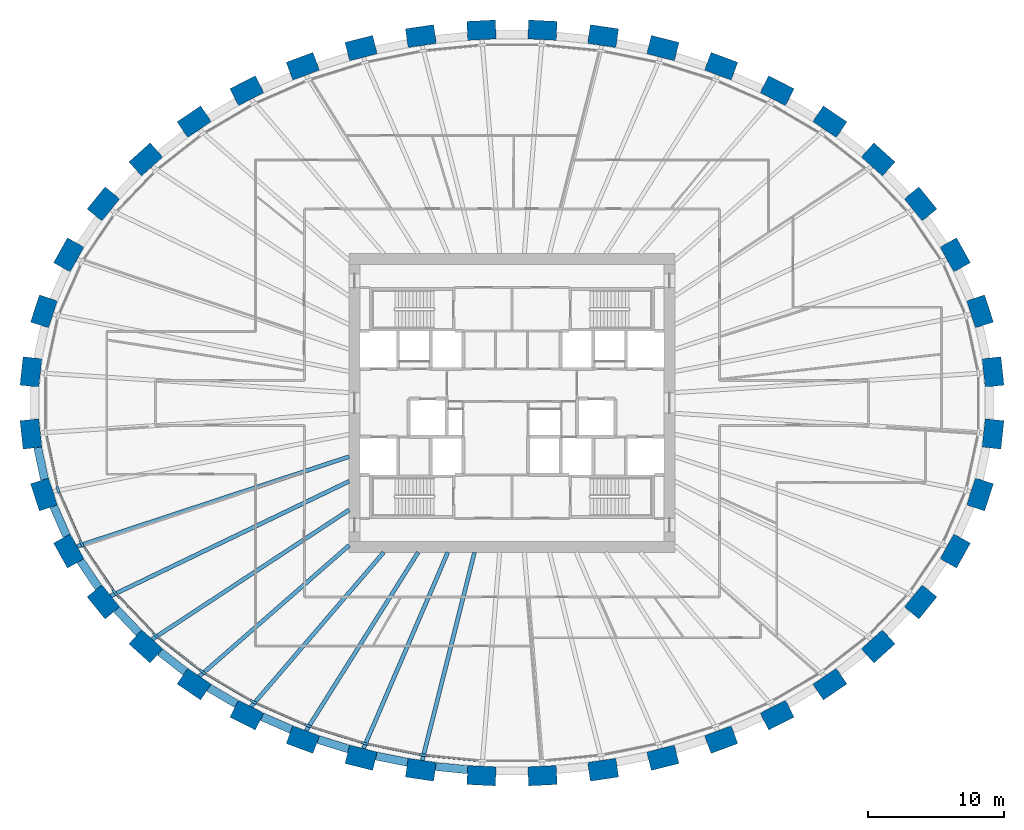
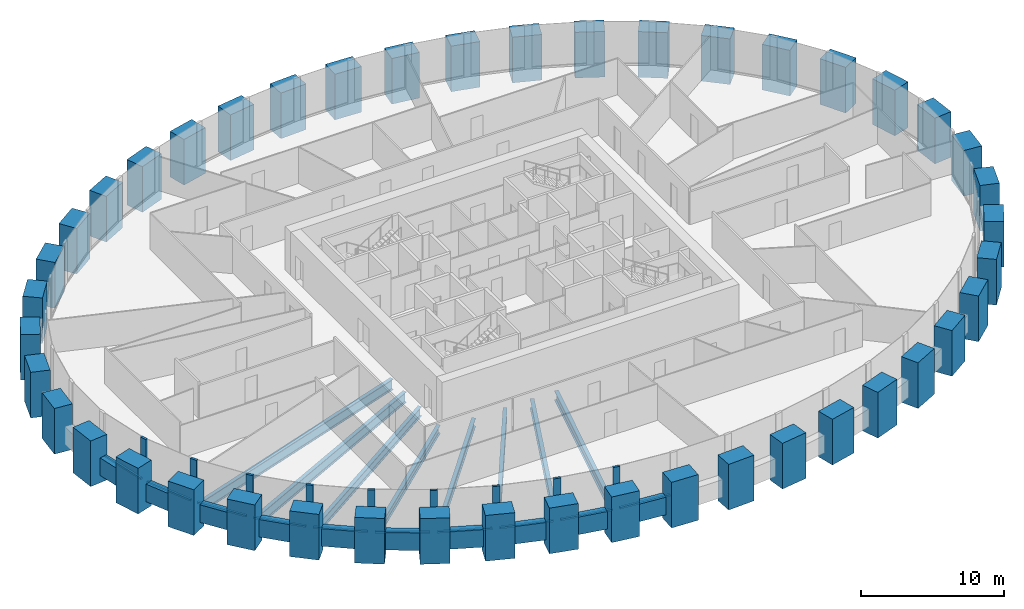
# One storey, part 1 of 11: 44 columns, 19 members, 18 beams, 1 element without a shape of its own.
"""IFC4 building model written with IfcOpenShell, lengths in metres."""

from ifc_helpers import new_model, si_unit, direction, frame, origin, origin_2d, place, context, subcontext, project, spatial, rectangle, i_section, extrude, source, transform, mapped, material, material_profile, profile_set, type_object, element, aggregate, save


model = new_model("IFC4")

# Units and contexts
model_context = context("Model", 3, precision=1e-05, world=origin(), true_north=direction((0.0, 1.0)))
body_context = subcontext(model_context, "Body", "Model", "MODEL_VIEW")
ifc_project = project(units=[si_unit("LENGTHUNIT", "METRE"), si_unit("AREAUNIT", "SQUARE_METRE"), si_unit("VOLUMEUNIT", "CUBIC_METRE"), si_unit("PLANEANGLEUNIT", "RADIAN"), si_unit("MASSUNIT", "GRAM", prefix="KILO")], contexts=[model_context])

# Site, building, storey
site_placement = place(None, origin())
site = spatial("IfcSite", under=ifc_project, at=site_placement, CompositionType="ELEMENT")
building_placement = place(site_placement, origin())
building = spatial("IfcBuilding", under=site, at=building_placement, Name="Embergate Tower", CompositionType="ELEMENT")
storey_placement = place(building_placement, frame((0.0, 0.0, 215.10009765625)))
storey = spatial("IfcBuildingStorey", under=building, at=storey_placement, Name="L49", CompositionType="ELEMENT", Elevation=215.10009765625)

# Columns
ifc_material_1 = material(Name="Concrete C60", Category="concrete")
ifc_material_profile_1 = material_profile(ifc_material_1, rectangle(XDim=1.39990234375, YDim=2.10009765625, at=origin_2d()), Name="RC 1400x2100")
ifc_profile_set_1 = profile_set([ifc_material_profile_1], Name="Concrete C60")
column_type = type_object("IfcColumnType", Name="Ring column RC 1400x2100 C60", PredefinedType="COLUMN", material=ifc_profile_set_1)
shared_shape_1 = source(origin(), body_context, "Body", "SweptSolid", [
    extrude(rectangle(XDim=1.39990234375, YDim=2.10009765625, at=origin_2d()), origin(), (0.0, 0.0, 1.0), 3.900146484375),
])
for number, where, z_axis, x_axis, name in (
    (1, (35.43701171875, 2.281982421875, -1.400146484375), (0.0, 0.0, 1.0), (0.99428589498, 0.106749983816, 0.0), "COL-L49-00"),
    (2, (34.47802734375, 6.739013671875, -1.400146484375), (0.0, 0.0, 1.0), (0.950754033697, 0.309946394413, 0.0), "COL-L49-01"),
    (3, (32.64990234375, 10.906982421875, -1.400146484375), (0.0, 0.0, 1.0), (0.873500465855, 0.486823311018, 0.0), "COL-L49-02"),
    (4, (30.097900390625, 14.659912109375, -1.400146484375), (0.0, 0.0, 1.0), (0.775925311702, 0.630824786022, 0.0), "COL-L49-03"),
    (5, (26.97509765625, 17.93603515625, -1.400146484375), (0.0, 0.0, 1.0), (0.669221393633, 0.743063070206, 0.0), "COL-L49-04"),
    (6, (23.4150390625, 20.714111328125, -1.400146484375), (0.0, 0.0, 1.0), (0.560393279442, 0.828226643109, 0.0), "COL-L49-05"),
    (7, (19.530029296875, 22.998046875, -1.400146484375), (0.0, 0.0, 1.0), (0.453010512651, 0.891505174089, 0.0), "COL-L49-06"),
    (8, (15.407958984375, 24.801025390625, -1.400146484375), (0.0, 0.0, 1.0), (0.348343015724, 0.93736713373, 0.0), "COL-L49-07"),
    (9, (11.115966796875, 26.137939453125, -1.400146484375), (0.0, 0.0, 1.0), (0.24650851817, 0.969140624713, 0.0), "COL-L49-08"),
    (10, (6.7119140625, 27.02099609375, -1.400146484375), (0.0, 0.0, 1.0), (0.146929011949, 0.989147039346, 0.0), "COL-L49-09"),
    (11, (2.243896484375, 27.4599609375, -1.400146484375), (0.0, 0.0, 1.0), (0.048814904854, 0.998807841912, 0.0), "COL-L49-10"),
    (12, (-2.243896484375, 27.4599609375, -1.400146484375), (0.0, 0.0, 1.0), (-0.048814904854, 0.998807841912, 0.0), "COL-L49-11"),
    (13, (-6.7119140625, 27.02099609375, -1.400146484375), (0.0, 0.0, 1.0), (-0.146929011949, 0.989147039346, 0.0), "COL-L49-12"),
    (14, (-11.115966796875, 26.137939453125, -1.400146484375), (0.0, 0.0, 1.0), (-0.24650851817, 0.969140624713, 0.0), "COL-L49-13"),
    (15, (-15.407958984375, 24.801025390625, -1.400146484375), (0.0, 0.0, 1.0), (-0.348343015724, 0.93736713373, 0.0), "COL-L49-14"),
    (16, (-19.530029296875, 22.998046875, -1.400146484375), (0.0, 0.0, 1.0), (-0.453010512651, 0.891505174089, 0.0), "COL-L49-15"),
    (17, (-23.4150390625, 20.714111328125, -1.400146484375), (0.0, 0.0, 1.0), (-0.560393279442, 0.828226643109, 0.0), "COL-L49-16"),
    (18, (-26.97509765625, 17.93603515625, -1.400146484375), (0.0, 0.0, 1.0), (-0.669221393633, 0.743063070206, 0.0), "COL-L49-17"),
    (19, (-30.097900390625, 14.659912109375, -1.400146484375), (0.0, 0.0, 1.0), (-0.775925311702, 0.630824786022, 0.0), "COL-L49-18"),
    (20, (-32.64990234375, 10.906982421875, -1.400146484375), (0.0, 0.0, 1.0), (-0.873500465855, 0.486823311018, 0.0), "COL-L49-19"),
    (21, (-34.47802734375, 6.739013671875, -1.400146484375), (0.0, 0.0, 1.0), (-0.950754033697, 0.309946394413, 0.0), "COL-L49-20"),
    (22, (-35.43701171875, 2.281982421875, -1.400146484375), (0.0, 0.0, 1.0), (-0.99428589498, 0.106749983816, 0.0), "COL-L49-21"),
    (23, (-35.43701171875, -2.281982421875, -1.400146484375), (0.0, 0.0, 1.0), (-0.99428589498, -0.106749983816, 0.0), "COL-L49-22"),
    (24, (-34.47802734375, -6.739013671875, -1.400146484375), (0.0, 0.0, 1.0), (-0.950754033697, -0.309946394413, 0.0), "COL-L49-23"),
    (25, (-32.64990234375, -10.906982421875, -1.400146484375), (0.0, 0.0, 1.0), (-0.873500465855, -0.486823311018, 0.0), "COL-L49-24"),
    (26, (-30.097900390625, -14.659912109375, -1.400146484375), (0.0, 0.0, 1.0), (-0.775925311702, -0.630824786022, 0.0), "COL-L49-25"),
    (27, (-26.97509765625, -17.93603515625, -1.400146484375), (0.0, 0.0, 1.0), (-0.669221393633, -0.743063070206, 0.0), "COL-L49-26"),
    (28, (-23.4150390625, -20.714111328125, -1.400146484375), (0.0, 0.0, 1.0), (-0.560393279442, -0.828226643109, 0.0), "COL-L49-27"),
    (29, (-19.530029296875, -22.998046875, -1.400146484375), (0.0, 0.0, 1.0), (-0.453010512651, -0.891505174089, 0.0), "COL-L49-28"),
    (30, (-15.407958984375, -24.801025390625, -1.400146484375), (0.0, 0.0, 1.0), (-0.348343015724, -0.93736713373, 0.0), "COL-L49-29"),
    (31, (-11.115966796875, -26.137939453125, -1.400146484375), (0.0, 0.0, 1.0), (-0.24650851817, -0.969140624713, 0.0), "COL-L49-30"),
    (32, (-6.7119140625, -27.02099609375, -1.400146484375), (0.0, 0.0, 1.0), (-0.146929011949, -0.989147039346, 0.0), "COL-L49-31"),
    (33, (-2.243896484375, -27.4599609375, -1.400146484375), (0.0, 0.0, 1.0), (-0.048814904854, -0.998807841912, 0.0), "COL-L49-32"),
    (34, (2.243896484375, -27.4599609375, -1.400146484375), (0.0, 0.0, 1.0), (0.048814904854, -0.998807841912, 0.0), "COL-L49-33"),
    (35, (6.7119140625, -27.02099609375, -1.400146484375), (0.0, 0.0, 1.0), (0.146929011949, -0.989147039346, 0.0), "COL-L49-34"),
    (36, (11.115966796875, -26.137939453125, -1.400146484375), (0.0, 0.0, 1.0), (0.24650851817, -0.969140624713, 0.0), "COL-L49-35"),
    (37, (15.407958984375, -24.801025390625, -1.400146484375), (0.0, 0.0, 1.0), (0.348343015724, -0.93736713373, 0.0), "COL-L49-36"),
    (38, (19.530029296875, -22.998046875, -1.400146484375), (0.0, 0.0, 1.0), (0.453010512651, -0.891505174089, 0.0), "COL-L49-37"),
    (39, (23.4150390625, -20.714111328125, -1.400146484375), (0.0, 0.0, 1.0), (0.560393279442, -0.828226643109, 0.0), "COL-L49-38"),
    (40, (26.97509765625, -17.93603515625, -1.400146484375), (0.0, 0.0, 1.0), (0.669221393633, -0.743063070206, 0.0), "COL-L49-39"),
    (41, (30.097900390625, -14.659912109375, -1.400146484375), (0.0, 0.0, 1.0), (0.775925311702, -0.630824786022, 0.0), "COL-L49-40"),
    (42, (32.64990234375, -10.906982421875, -1.400146484375), (0.0, 0.0, 1.0), (0.873500465855, -0.486823311018, 0.0), "COL-L49-41"),
    (43, (34.47802734375, -6.739013671875, -1.400146484375), (0.0, 0.0, 1.0), (0.950754033697, -0.309946394413, 0.0), "COL-L49-42"),
    (44, (35.43701171875, -2.281982421875, -1.400146484375), (0.0, 0.0, 1.0), (0.99428589498, -0.106749983816, 0.0), "COL-L49-43"),
):
    element("IfcColumn", number, at=place(storey_placement, frame(where, z_axis=z_axis, x_axis=x_axis)), inside=storey, type_object=column_type, Name=name, PredefinedType="COLUMN", context=body_context, shape_type="MappedRepresentation", body=[
        mapped(shared_shape_1, transform((0.0, 0.0, 0.0))),
    ])

# Beams
ifc_material_profile_2 = material_profile(ifc_material_1, rectangle(XDim=0.60009765625, YDim=1.5, at=origin_2d()), Name="RC 600x1500")
ifc_profile_set_2 = profile_set([ifc_material_profile_2], Name="Concrete C60")
beam_type_1 = type_object("IfcBeamType", Name="Spandrel beam RC 600x1500 C60", PredefinedType="BEAM", material=ifc_profile_set_2)
shared_shape_2 = source(origin(), body_context, "Body", "SweptSolid", [
    extrude(rectangle(XDim=0.60009765625, YDim=1.5, at=origin_2d()), origin(), (0.0, 0.0, 1.0), 2.3896484375),
])
beam_1_placement = place(storey_placement, frame((-34.93896484375, -3.284912109375, 0.0), z_axis=(0.21045693854, -0.977603128586, 0.0), x_axis=(0.977603128586, 0.21045693854, 0.0)))
element("IfcBeam", 45, at=beam_1_placement, inside=storey, type_object=beam_type_1, Name="SPN-L49-22", PredefinedType="BEAM", context=body_context, shape_type="MappedRepresentation", body=[
    mapped(shared_shape_2, transform((0.0, 0.0, 0.0))),
])
shared_shape_3 = source(origin(), body_context, "Body", "SweptSolid", [
    extrude(rectangle(XDim=0.60009765625, YDim=1.5, at=origin_2d()), origin(), (0.0, 0.0, 1.0), 2.3837890625),
])
beam_2_placement = place(storey_placement, frame((-33.77099609375, -7.613037109375, 0.0), z_axis=(0.401876968148, -0.915693672836, 0.0), x_axis=(0.915693672836, 0.401876968148, 0.0)))
element("IfcBeam", 46, at=beam_2_placement, inside=storey, type_object=beam_type_1, Name="SPN-L49-23", PredefinedType="BEAM", context=body_context, shape_type="MappedRepresentation", body=[
    mapped(shared_shape_3, transform((0.0, 0.0, 0.0))),
])
shared_shape_4 = source(origin(), body_context, "Body", "SweptSolid", [
    extrude(rectangle(XDim=0.60009765625, YDim=1.5, at=origin_2d()), origin(), (0.0, 0.0, 1.0), 2.379150390625),
])
beam_3_placement = place(storey_placement, frame((-31.797119140625, -11.633056640625, 0.0), z_axis=(0.562467199194, -0.826819599327, 0.0), x_axis=(0.826819599327, 0.562467199194, 0.0)))
element("IfcBeam", 47, at=beam_3_placement, inside=storey, type_object=beam_type_1, Name="SPN-L49-24", PredefinedType="BEAM", context=body_context, shape_type="MappedRepresentation", body=[
    mapped(shared_shape_4, transform((0.0, 0.0, 0.0))),
])
shared_shape_5 = source(origin(), body_context, "Body", "SweptSolid", [
    extrude(rectangle(XDim=0.60009765625, YDim=1.5, at=origin_2d()), origin(), (0.0, 0.0, 1.0), 2.370849609375),
])
beam_4_placement = place(storey_placement, frame((-29.1240234375, -15.220947265625, 0.0), z_axis=(0.690017631866, -0.723792558482, 0.0), x_axis=(0.723792558482, 0.690017631866, 0.0)))
element("IfcBeam", 48, at=beam_4_placement, inside=storey, type_object=beam_type_1, Name="SPN-L49-25", PredefinedType="BEAM", context=body_context, shape_type="MappedRepresentation", body=[
    mapped(shared_shape_5, transform((0.0, 0.0, 0.0))),
])
shared_shape_6 = source(origin(), body_context, "Body", "SweptSolid", [
    extrude(rectangle(XDim=0.60009765625, YDim=1.5, at=origin_2d()), origin(), (0.0, 0.0, 1.0), 2.366943359375),
])
beam_5_placement = place(storey_placement, frame((-25.931884765625, -18.345947265625, 0.0), z_axis=(0.788379233054, -0.615189552, 0.0), x_axis=(0.615189552, 0.788379233054, 0.0)))
element("IfcBeam", 49, at=beam_5_placement, inside=storey, type_object=beam_type_1, Name="SPN-L49-26", PredefinedType="BEAM", context=body_context, shape_type="MappedRepresentation", body=[
    mapped(shared_shape_6, transform((0.0, 0.0, 0.0))),
])
shared_shape_7 = source(origin(), body_context, "Body", "SweptSolid", [
    extrude(rectangle(XDim=0.60009765625, YDim=1.5, at=origin_2d()), origin(), (0.0, 0.0, 1.0), 2.36279296875),
])
beam_6_placement = place(storey_placement, frame((-22.3291015625, -20.98291015625, 0.0), z_axis=(0.862170527893, -0.50661818052, 0.0), x_axis=(0.50661818052, 0.862170527893, 0.0)))
element("IfcBeam", 50, at=beam_6_placement, inside=storey, type_object=beam_type_1, Name="SPN-L49-27", PredefinedType="BEAM", context=body_context, shape_type="MappedRepresentation", body=[
    mapped(shared_shape_7, transform((0.0, 0.0, 0.0))),
])
shared_shape_8 = source(origin(), body_context, "Body", "SweptSolid", [
    extrude(rectangle(XDim=0.60009765625, YDim=1.5, at=origin_2d()), origin(), (0.0, 0.0, 1.0), 2.357421875),
])
beam_7_placement = place(storey_placement, frame((-18.4130859375, -23.116943359375, 0.0), z_axis=(0.91630938503, -0.400471111201, 0.0), x_axis=(0.400471111201, 0.91630938503, 0.0)))
element("IfcBeam", 51, at=beam_7_placement, inside=storey, type_object=beam_type_1, Name="SPN-L49-28", PredefinedType="BEAM", context=body_context, shape_type="MappedRepresentation", body=[
    mapped(shared_shape_8, transform((0.0, 0.0, 0.0))),
])
shared_shape_9 = source(origin(), body_context, "Body", "SweptSolid", [
    extrude(rectangle(XDim=0.60009765625, YDim=1.5, at=origin_2d()), origin(), (0.0, 0.0, 1.0), 2.3564453125),
])
beam_8_placement = place(storey_placement, frame((-14.285888671875, -24.7958984375, 0.0), z_axis=(0.95483326256, -0.297142122073, 0.0), x_axis=(0.297142122073, 0.95483326256, 0.0)))
element("IfcBeam", 52, at=beam_8_placement, inside=storey, type_object=beam_type_1, Name="SPN-L49-29", PredefinedType="BEAM", context=body_context, shape_type="MappedRepresentation", body=[
    mapped(shared_shape_9, transform((0.0, 0.0, 0.0))),
])
shared_shape_10 = source(origin(), body_context, "Body", "SweptSolid", [
    extrude(rectangle(XDim=0.60009765625, YDim=1.5, at=origin_2d()), origin(), (0.0, 0.0, 1.0), 2.353515625),
])
beam_9_placement = place(storey_placement, frame((-10.0009765625, -26.01611328125, 0.0), z_axis=(0.980552738639, -0.196255768698, 0.0), x_axis=(0.196255768698, 0.980552738639, 0.0)))
element("IfcBeam", 53, at=beam_9_placement, inside=storey, type_object=beam_type_1, Name="SPN-L49-30", PredefinedType="BEAM", context=body_context, shape_type="MappedRepresentation", body=[
    mapped(shared_shape_10, transform((0.0, 0.0, 0.0))),
])
shared_shape_11 = source(origin(), body_context, "Body", "SweptSolid", [
    extrude(rectangle(XDim=0.60009765625, YDim=1.5, at=origin_2d()), origin(), (0.0, 0.0, 1.0), 2.353271484375),
])
beam_10_placement = place(storey_placement, frame((-5.615966796875, -26.7880859375, 0.0), z_axis=(0.99521330308, -0.097726564318, 0.0), x_axis=(0.097726564318, 0.99521330308, 0.0)))
element("IfcBeam", 54, at=beam_10_placement, inside=storey, type_object=beam_type_1, Name="SPN-L49-31", PredefinedType="BEAM", context=body_context, shape_type="MappedRepresentation", body=[
    mapped(shared_shape_11, transform((0.0, 0.0, 0.0))),
])
ifc_material_2 = material(Name="Steel Q355B", Category="steel")
ifc_material_profile_3 = material_profile(ifc_material_2, i_section(OverallWidth=0.300048828125, OverallDepth=0.89990234375, WebThickness=0.01611328125, FlangeThickness=0.028076171875, FilletRadius=0.028076171875, at=origin_2d()), Name="HN 900x300x16x28")
ifc_profile_set_3 = profile_set([ifc_material_profile_3], Name="Steel Q355 grade B")
beam_type_2 = type_object("IfcBeamType", Name="Radial girder HN 900x300x16x28", PredefinedType="BEAM", material=ifc_profile_set_3)
shared_shape_12 = source(origin(), body_context, "Body", "SweptSolid", [
    extrude(i_section(OverallWidth=0.300048828125, OverallDepth=0.89990234375, WebThickness=0.01611328125, FlangeThickness=0.028076171875, FilletRadius=0.028076171875, at=origin_2d()), origin(), (0.0, 0.0, 1.0), 21.100341796875),
])
beam_11_placement = place(storey_placement, frame((-32.0390625, -10.56591796875, -0.650146484375), z_axis=(0.949698867802, 0.313164590106, 0.0), x_axis=(-0.313164590106, 0.949698867802, 0.0)))
element("IfcBeam", 55, at=beam_11_placement, inside=storey, type_object=beam_type_2, Name="GIR-L49-24", PredefinedType="BEAM", context=body_context, shape_type="MappedRepresentation", body=[
    mapped(shared_shape_12, transform((0.0, 0.0, 0.0))),
])
shared_shape_13 = source(origin(), body_context, "Body", "SweptSolid", [
    extrude(i_section(OverallWidth=0.300048828125, OverallDepth=0.89990234375, WebThickness=0.01611328125, FlangeThickness=0.028076171875, FilletRadius=0.028076171875, at=origin_2d()), origin(), (0.0, 0.0, 1.0), 19.480712890625),
])
beam_12_placement = place(storey_placement, frame((-29.554931640625, -14.218017578125, -0.650146484375), z_axis=(0.901148212086, 0.433511130023, 0.0), x_axis=(-0.433511130023, 0.901148212086, 0.0)))
element("IfcBeam", 56, at=beam_12_placement, inside=storey, type_object=beam_type_2, Name="GIR-L49-25", PredefinedType="BEAM", context=body_context, shape_type="MappedRepresentation", body=[
    mapped(shared_shape_13, transform((0.0, 0.0, 0.0))),
])
ifc_material_profile_4 = material_profile(ifc_material_2, i_section(OverallWidth=0.300048828125, OverallDepth=0.800048828125, WebThickness=0.013916015625, FlangeThickness=0.02587890625, FilletRadius=0.028076171875, at=origin_2d()), Name="HN 800x300x14x26")
ifc_profile_set_4 = profile_set([ifc_material_profile_4], Name="Steel Q355 grade B")
beam_type_3 = type_object("IfcBeamType", Name="Radial girder HN 800x300x14x26", PredefinedType="BEAM", material=ifc_profile_set_4)
shared_shape_14 = source(origin(), body_context, "Body", "SweptSolid", [
    extrude(i_section(OverallWidth=0.300048828125, OverallDepth=0.800048828125, WebThickness=0.013916015625, FlangeThickness=0.02587890625, FilletRadius=0.028076171875, at=origin_2d()), origin(), (0.0, 0.0, 1.0), 17.3583984375),
])
beam_13_placement = place(storey_placement, frame((-26.507080078125, -17.416015625, -0.60009765625), z_axis=(0.835738306524, 0.549127929547, 0.0), x_axis=(-0.549127929547, 0.835738306524, 0.0)))
element("IfcBeam", 57, at=beam_13_placement, inside=storey, type_object=beam_type_3, Name="GIR-L49-26", PredefinedType="BEAM", context=body_context, shape_type="MappedRepresentation", body=[
    mapped(shared_shape_14, transform((0.0, 0.0, 0.0))),
])
ifc_material_profile_5 = material_profile(ifc_material_2, i_section(OverallWidth=0.300048828125, OverallDepth=0.699951171875, WebThickness=0.012939453125, FlangeThickness=0.02392578125, FilletRadius=0.01806640625, at=origin_2d()), Name="HN 700x300x13x24")
ifc_profile_set_5 = profile_set([ifc_material_profile_5], Name="Steel Q355 grade B")
beam_type_4 = type_object("IfcBeamType", Name="Radial girder HN 700x300x13x24", PredefinedType="BEAM", material=ifc_profile_set_5)
shared_shape_15 = source(origin(), body_context, "Body", "SweptSolid", [
    extrude(i_section(OverallWidth=0.300048828125, OverallDepth=0.699951171875, WebThickness=0.012939453125, FlangeThickness=0.02392578125, FilletRadius=0.01806640625, at=origin_2d()), origin(), (0.0, 0.0, 1.0), 14.643798828125),
])
beam_14_placement = place(storey_placement, frame((-23.02294921875, -20.134033203125, -0.550048828125), z_axis=(0.752743981282, 0.658313374195, 0.0), x_axis=(-0.658313374195, 0.752743981282, 0.0)))
element("IfcBeam", 58, at=beam_14_placement, inside=storey, type_object=beam_type_4, Name="GIR-L49-27", PredefinedType="BEAM", context=body_context, shape_type="MappedRepresentation", body=[
    mapped(shared_shape_15, transform((0.0, 0.0, 0.0))),
])
shared_shape_16 = source(origin(), body_context, "Body", "SweptSolid", [
    extrude(i_section(OverallWidth=0.300048828125, OverallDepth=0.699951171875, WebThickness=0.012939453125, FlangeThickness=0.02392578125, FilletRadius=0.01806640625, at=origin_2d()), origin(), (0.0, 0.0, 1.0), 14.991943359375),
])
beam_15_placement = place(storey_placement, frame((-19.212890625, -22.3740234375, -0.550048828125), z_axis=(0.651471048315, 0.758673495785, 0.0), x_axis=(-0.758673495785, 0.651471048315, 0.0)))
element("IfcBeam", 59, at=beam_15_placement, inside=storey, type_object=beam_type_4, Name="GIR-L49-28", PredefinedType="BEAM", context=body_context, shape_type="MappedRepresentation", body=[
    mapped(shared_shape_16, transform((0.0, 0.0, 0.0))),
])
shared_shape_17 = source(origin(), body_context, "Body", "SweptSolid", [
    extrude(i_section(OverallWidth=0.300048828125, OverallDepth=0.800048828125, WebThickness=0.013916015625, FlangeThickness=0.02587890625, FilletRadius=0.028076171875, at=origin_2d()), origin(), (0.0, 0.0, 1.0), 15.522216796875),
])
beam_16_placement = place(storey_placement, frame((-15.1640625, -24.14501953125, -0.60009765625), z_axis=(0.531827158809, 0.846852922976, 0.0), x_axis=(-0.846852922976, 0.531827158809, 0.0)))
element("IfcBeam", 60, at=beam_16_placement, inside=storey, type_object=beam_type_3, Name="GIR-L49-29", PredefinedType="BEAM", context=body_context, shape_type="MappedRepresentation", body=[
    mapped(shared_shape_17, transform((0.0, 0.0, 0.0))),
])
shared_shape_18 = source(origin(), body_context, "Body", "SweptSolid", [
    extrude(i_section(OverallWidth=0.300048828125, OverallDepth=0.800048828125, WebThickness=0.013916015625, FlangeThickness=0.02587890625, FilletRadius=0.028076171875, at=origin_2d()), origin(), (0.0, 0.0, 1.0), 15.739013671875),
])
beam_17_placement = place(storey_placement, frame((-10.943115234375, -25.4599609375, -0.60009765625), z_axis=(0.394883218824, 0.918731322799, 0.0), x_axis=(-0.918731322799, 0.394883218824, 0.0)))
element("IfcBeam", 61, at=beam_17_placement, inside=storey, type_object=beam_type_3, Name="GIR-L49-30", PredefinedType="BEAM", context=body_context, shape_type="MappedRepresentation", body=[
    mapped(shared_shape_18, transform((0.0, 0.0, 0.0))),
])
shared_shape_19 = source(origin(), body_context, "Body", "SweptSolid", [
    extrude(i_section(OverallWidth=0.300048828125, OverallDepth=0.800048828125, WebThickness=0.013916015625, FlangeThickness=0.02587890625, FilletRadius=0.028076171875, at=origin_2d()), origin(), (0.0, 0.0, 1.0), 15.8046875),
])
beam_18_placement = place(storey_placement, frame((-6.60888671875, -26.3291015625, -0.60009765625), z_axis=(0.243465990326, 0.969909434718, 0.0), x_axis=(-0.969909434718, 0.243465990326, 0.0)))
element("IfcBeam", 62, at=beam_18_placement, inside=storey, type_object=beam_type_3, Name="GIR-L49-31", PredefinedType="BEAM", context=body_context, shape_type="MappedRepresentation", body=[
    mapped(shared_shape_19, transform((0.0, 0.0, 0.0))),
])

# Curtain wall, members
ifc_material_3 = material(Name="Aluminium and glass", Category="aluminium")
curtain_wall_type = type_object("IfcCurtainWallType", Name="Recessed office glazing", PredefinedType="NOTDEFINED", material=ifc_material_3)
curtain_wall_placement = place(storey_placement, origin())
curtain_wall = element("IfcCurtainWall", 63, at=curtain_wall_placement, inside=storey, type_object=curtain_wall_type, Name="Recessed office glazing ring", ObjectType="RECESSED OFFICE GLAZING", PredefinedType="USERDEFINED")
ifc_material_4 = material(Name="Aluminium, thermally broken", Category="aluminium")
ifc_material_profile_6 = material_profile(ifc_material_4, rectangle(XDim=0.179931640625, YDim=0.52001953125, at=origin_2d()), Name="AL 520x180")
ifc_profile_set_6 = profile_set([ifc_material_profile_6], Name="Aluminium, thermally broken")
member_type_1 = type_object("IfcMemberType", Name="Office mullion", PredefinedType="MULLION", material=ifc_profile_set_6)
shared_shape_20 = source(origin(), body_context, "Body", "SweptSolid", [
    extrude(rectangle(XDim=0.179931640625, YDim=0.52001953125, at=origin_2d()), origin(), (0.0, 0.0, 1.0), 3.699951171875),
])
member_1_placement = place(storey_placement, frame((-33.44140625, -6.401611328125, 0.0), z_axis=(0.0, 0.0, 1.0), x_axis=(0.951497797992, 0.307655554826, 0.0)))
member_1 = element("IfcMember", 64, at=member_1_placement, type_object=member_type_1, Name="CW mullion 24", PredefinedType="MULLION", context=body_context, shape_type="MappedRepresentation", body=[
    mapped(shared_shape_20, transform((0.0, 0.0, 0.0))),
])
member_2_placement = place(storey_placement, frame((-31.697998046875, -10.376220703125, 0.0), z_axis=(0.0, 0.0, 1.0), x_axis=(0.875002740779, 0.484117964581, 0.0)))
member_2 = element("IfcMember", 65, at=member_2_placement, type_object=member_type_1, Name="CW mullion 25", PredefinedType="MULLION", context=body_context, shape_type="MappedRepresentation", body=[
    mapped(shared_shape_20, transform((0.0, 0.0, 0.0))),
])
member_3_placement = place(storey_placement, frame((-29.25244140625, -13.972412109375, 0.0), z_axis=(0.0, 0.0, 1.0), x_axis=(0.777874757957, 0.628419335264, 0.0)))
member_3 = element("IfcMember", 66, at=member_3_placement, type_object=member_type_1, Name="CW mullion 26", PredefinedType="MULLION", context=body_context, shape_type="MappedRepresentation", body=[
    mapped(shared_shape_20, transform((0.0, 0.0, 0.0))),
])
member_4_placement = place(storey_placement, frame((-26.245361328125, -17.125732421875, 0.0), z_axis=(0.0, 0.0, 1.0), x_axis=(0.671230415135, 0.741248763775, 0.0)))
member_4 = element("IfcMember", 67, at=member_4_placement, type_object=member_type_1, Name="CW mullion 27", PredefinedType="MULLION", context=body_context, shape_type="MappedRepresentation", body=[
    mapped(shared_shape_20, transform((0.0, 0.0, 0.0))),
])
member_5_placement = place(storey_placement, frame((-22.804443359375, -19.811279296875, 0.0), z_axis=(0.0, 0.0, 1.0), x_axis=(0.562220505278, 0.826987365953, 0.0)))
member_5 = element("IfcMember", 68, at=member_5_placement, type_object=member_type_1, Name="CW mullion 28", PredefinedType="MULLION", context=body_context, shape_type="MappedRepresentation", body=[
    mapped(shared_shape_20, transform((0.0, 0.0, 0.0))),
])
member_6_placement = place(storey_placement, frame((-19.03662109375, -22.026611328125, 0.0), z_axis=(0.0, 0.0, 1.0), x_axis=(0.454514489796, 0.890739343784, 0.0)))
member_6 = element("IfcMember", 69, at=member_6_placement, type_object=member_type_1, Name="CW mullion 29", PredefinedType="MULLION", context=body_context, shape_type="MappedRepresentation", body=[
    mapped(shared_shape_20, transform((0.0, 0.0, 0.0))),
])
member_7_placement = place(storey_placement, frame((-15.02783203125, -23.779296875, 0.0), z_axis=(0.0, 0.0, 1.0), x_axis=(0.34950595337, 0.936934143128, 0.0)))
member_7 = element("IfcMember", 70, at=member_7_placement, type_object=member_type_1, Name="CW mullion 30", PredefinedType="MULLION", context=body_context, shape_type="MappedRepresentation", body=[
    mapped(shared_shape_20, transform((0.0, 0.0, 0.0))),
])
member_8_placement = place(storey_placement, frame((-10.847412109375, -25.081298828125, 0.0), z_axis=(0.0, 0.0, 1.0), x_axis=(0.247315263593, 0.968935065107, 0.0)))
member_8 = element("IfcMember", 71, at=member_8_placement, type_object=member_type_1, Name="CW mullion 31", PredefinedType="MULLION", context=body_context, shape_type="MappedRepresentation", body=[
    mapped(shared_shape_20, transform((0.0, 0.0, 0.0))),
])
member_9_placement = place(storey_placement, frame((-6.55224609375, -25.94287109375, 0.0), z_axis=(0.0, 0.0, 1.0), x_axis=(0.14741410908, 0.98907486089, 0.0)))
member_9 = element("IfcMember", 72, at=member_9_placement, type_object=member_type_1, Name="CW mullion 32", PredefinedType="MULLION", context=body_context, shape_type="MappedRepresentation", body=[
    mapped(shared_shape_20, transform((0.0, 0.0, 0.0))),
])
ifc_material_profile_7 = material_profile(ifc_material_4, rectangle(XDim=0.179931640625, YDim=0.14990234375, at=origin_2d()), Name="AL 150x180")
ifc_profile_set_7 = profile_set([ifc_material_profile_7], Name="Aluminium, thermally broken")
member_type_2 = type_object("IfcMemberType", Name="Office sill transom", PredefinedType="USERDEFINED", material=ifc_profile_set_7)
shared_shape_21 = source(origin(), body_context, "Body", "SweptSolid", [
    extrude(rectangle(XDim=0.179931640625, YDim=0.14990234375, at=origin_2d()), origin(), (0.0, 0.0, 1.0), 3.8134765625),
])
member_10_placement = place(storey_placement, frame((-34.29833984375, -2.41943359375, 0.074951171875), z_axis=(0.210377227089, -0.977620285347, 0.0), x_axis=(0.977620285347, 0.210377227089, 0.0)))
member_10 = element("IfcMember", 73, at=member_10_placement, type_object=member_type_2, Name="CW transom 23.1", ObjectType="TRANSOM", PredefinedType="USERDEFINED", context=body_context, shape_type="MappedRepresentation", body=[
    mapped(shared_shape_21, transform((0.0, 0.0, 0.0))),
])
shared_shape_22 = source(origin(), body_context, "Body", "SweptSolid", [
    extrude(rectangle(XDim=0.179931640625, YDim=0.14990234375, at=origin_2d()), origin(), (0.0, 0.0, 1.0), 3.8203125),
])
member_11_placement = place(storey_placement, frame((-33.3369140625, -6.6396484375, 0.074951171875), z_axis=(0.401656793595, -0.915790270837, 0.0), x_axis=(0.915790270837, 0.401656793595, 0.0)))
member_11 = element("IfcMember", 74, at=member_11_placement, type_object=member_type_2, Name="CW transom 24.1", ObjectType="TRANSOM", PredefinedType="USERDEFINED", context=body_context, shape_type="MappedRepresentation", body=[
    mapped(shared_shape_22, transform((0.0, 0.0, 0.0))),
])
shared_shape_23 = source(origin(), body_context, "Body", "SweptSolid", [
    extrude(rectangle(XDim=0.179931640625, YDim=0.14990234375, at=origin_2d()), origin(), (0.0, 0.0, 1.0), 3.828857421875),
])
member_12_placement = place(storey_placement, frame((-31.552001953125, -10.59130859375, 0.074951171875), z_axis=(0.56238675743, -0.826874316367, 0.0), x_axis=(0.826874316367, 0.56238675743, 0.0)))
member_12 = element("IfcMember", 75, at=member_12_placement, type_object=member_type_2, Name="CW transom 25.1", ObjectType="TRANSOM", PredefinedType="USERDEFINED", context=body_context, shape_type="MappedRepresentation", body=[
    mapped(shared_shape_23, transform((0.0, 0.0, 0.0))),
])
shared_shape_24 = source(origin(), body_context, "Body", "SweptSolid", [
    extrude(rectangle(XDim=0.179931640625, YDim=0.14990234375, at=origin_2d()), origin(), (0.0, 0.0, 1.0), 3.83740234375),
])
member_13_placement = place(storey_placement, frame((-29.072998046875, -14.160400390625, 0.074951171875), z_axis=(0.690110982846, -0.723703552123, 0.0), x_axis=(0.723703552123, 0.690110982846, 0.0)))
member_13 = element("IfcMember", 76, at=member_13_placement, type_object=member_type_2, Name="CW transom 26.1", ObjectType="TRANSOM", PredefinedType="USERDEFINED", context=body_context, shape_type="MappedRepresentation", body=[
    mapped(shared_shape_24, transform((0.0, 0.0, 0.0))),
])
shared_shape_25 = source(origin(), body_context, "Body", "SweptSolid", [
    extrude(rectangle(XDim=0.179931640625, YDim=0.14990234375, at=origin_2d()), origin(), (0.0, 0.0, 1.0), 3.8447265625),
])
member_14_placement = place(storey_placement, frame((-26.040283203125, -17.28564453125, 0.074951171875), z_axis=(0.788284232177, -0.615311278379, 0.0), x_axis=(0.615311278379, 0.788284232177, 0.0)))
member_14 = element("IfcMember", 77, at=member_14_placement, type_object=member_type_2, Name="CW transom 27.1", ObjectType="TRANSOM", PredefinedType="USERDEFINED", context=body_context, shape_type="MappedRepresentation", body=[
    mapped(shared_shape_25, transform((0.0, 0.0, 0.0))),
])
shared_shape_26 = source(origin(), body_context, "Body", "SweptSolid", [
    extrude(rectangle(XDim=0.179931640625, YDim=0.14990234375, at=origin_2d()), origin(), (0.0, 0.0, 1.0), 3.850830078125),
])
member_15_placement = place(storey_placement, frame((-22.580322265625, -19.943115234375, 0.074951171875), z_axis=(0.862051539353, -0.506820622607, 0.0), x_axis=(0.506820622607, 0.862051539353, 0.0)))
member_15 = element("IfcMember", 78, at=member_15_placement, type_object=member_type_2, Name="CW transom 28.1", ObjectType="TRANSOM", PredefinedType="USERDEFINED", context=body_context, shape_type="MappedRepresentation", body=[
    mapped(shared_shape_26, transform((0.0, 0.0, 0.0))),
])
shared_shape_27 = source(origin(), body_context, "Body", "SweptSolid", [
    extrude(rectangle(XDim=0.179931640625, YDim=0.14990234375, at=origin_2d()), origin(), (0.0, 0.0, 1.0), 3.855224609375),
])
member_16_placement = place(storey_placement, frame((-18.79833984375, -22.130615234375, 0.074951171875), z_axis=(0.916221273565, -0.400672656749, 0.0), x_axis=(0.400672656749, 0.916221273565, 0.0)))
member_16 = element("IfcMember", 79, at=member_16_placement, type_object=member_type_2, Name="CW transom 29.1", ObjectType="TRANSOM", PredefinedType="USERDEFINED", context=body_context, shape_type="MappedRepresentation", body=[
    mapped(shared_shape_27, transform((0.0, 0.0, 0.0))),
])
shared_shape_28 = source(origin(), body_context, "Body", "SweptSolid", [
    extrude(rectangle(XDim=0.179931640625, YDim=0.14990234375, at=origin_2d()), origin(), (0.0, 0.0, 1.0), 3.8583984375),
])
member_17_placement = place(storey_placement, frame((-14.779541015625, -23.856689453125, 0.074951171875), z_axis=(0.954755412544, -0.297392169061, 0.0), x_axis=(0.297392169061, 0.954755412544, 0.0)))
member_17 = element("IfcMember", 80, at=member_17_placement, type_object=member_type_2, Name="CW transom 30.1", ObjectType="TRANSOM", PredefinedType="USERDEFINED", context=body_context, shape_type="MappedRepresentation", body=[
    mapped(shared_shape_28, transform((0.0, 0.0, 0.0))),
])
shared_shape_29 = source(origin(), body_context, "Body", "SweptSolid", [
    extrude(rectangle(XDim=0.179931640625, YDim=0.14990234375, at=origin_2d()), origin(), (0.0, 0.0, 1.0), 3.860595703125),
])
member_18_placement = place(storey_placement, frame((-10.59228515625, -25.132568359375, 0.074951171875), z_axis=(0.980480823499, -0.196614736859, 0.0), x_axis=(0.196614736859, 0.980480823499, 0.0)))
member_18 = element("IfcMember", 81, at=member_18_placement, type_object=member_type_2, Name="CW transom 31.1", ObjectType="TRANSOM", PredefinedType="USERDEFINED", context=body_context, shape_type="MappedRepresentation", body=[
    mapped(shared_shape_29, transform((0.0, 0.0, 0.0))),
])
shared_shape_30 = source(origin(), body_context, "Body", "SweptSolid", [
    extrude(rectangle(XDim=0.179931640625, YDim=0.14990234375, at=origin_2d()), origin(), (0.0, 0.0, 1.0), 3.862060546875),
])
member_19_placement = place(storey_placement, frame((-6.29345703125, -25.96826171875, 0.074951171875), z_axis=(0.995200439085, -0.097857478225, 0.0), x_axis=(0.097857478225, 0.995200439085, 0.0)))
member_19 = element("IfcMember", 82, at=member_19_placement, type_object=member_type_2, Name="CW transom 32.1", ObjectType="TRANSOM", PredefinedType="USERDEFINED", context=body_context, shape_type="MappedRepresentation", body=[
    mapped(shared_shape_30, transform((0.0, 0.0, 0.0))),
])
aggregate(curtain_wall, [member_1, member_2, member_3, member_4, member_5, member_6, member_7, member_8, member_9, member_10, member_11, member_12, member_13, member_14, member_15, member_16, member_17, member_18, member_19])

save(model, "model.ifc")
